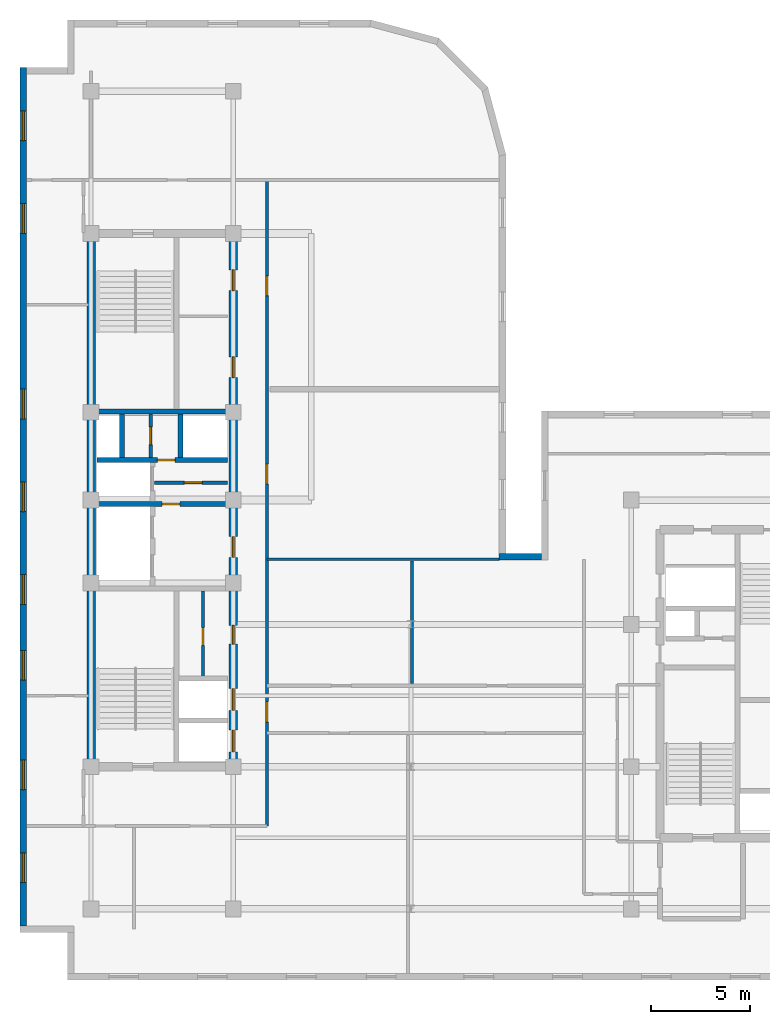
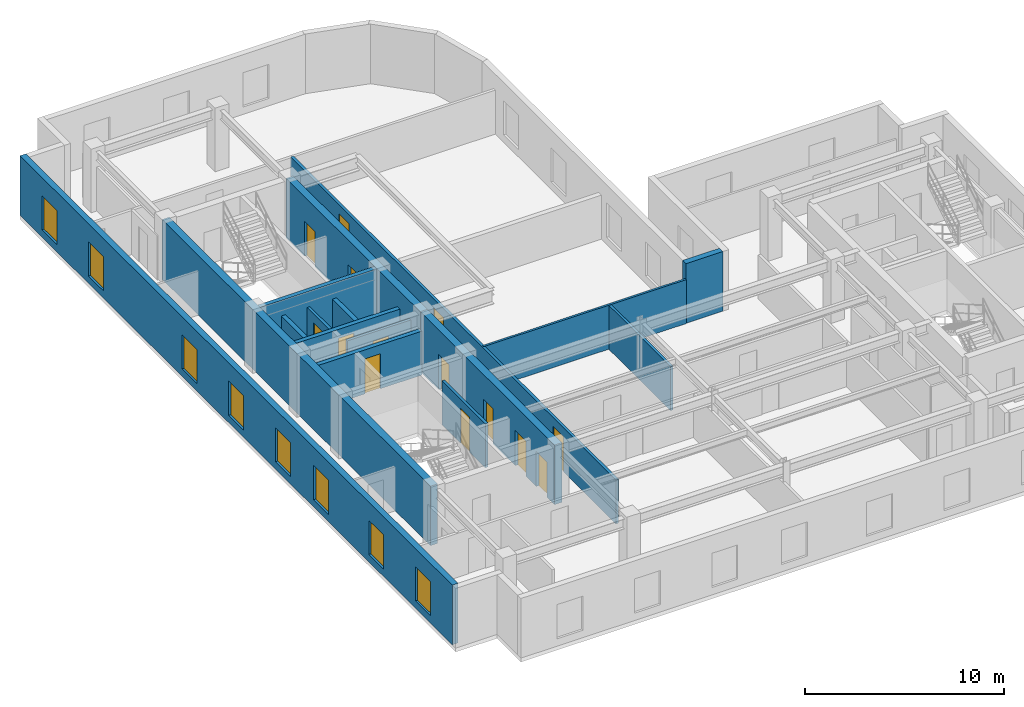
# One storey, part 4 of 9: 16 walls, 14 doors, 8 windows, 22 openings.
"""IFC4 building model written with IfcOpenShell, lengths in metres."""

from ifc_helpers import new_model, entity, si_unit, converted_unit, direction, frame, origin_with_axes, origin_2d_with_axis, place, context, subcontext, project, spatial, polyline, rectangle, outline, extrude, material, layer, layer_set, type_object, element, fill, save


model = new_model("IFC4")

# Units and contexts
model_context = context("Model", 3, precision=1e-05, world=origin_with_axes(), true_north=direction((0.0, 1.0)))
body_context = subcontext(model_context, "Body", "Model", "MODEL_VIEW")
ifc_project = project(units=[si_unit("LENGTHUNIT", "METRE"), si_unit("AREAUNIT", "SQUARE_METRE"), si_unit("VOLUMEUNIT", "CUBIC_METRE"), converted_unit("PLANEANGLEUNIT", "DEGREE", entity("IfcPlaneAngleMeasure", 0.017453292519943295), si_unit("PLANEANGLEUNIT", "RADIAN"), dimensions=[0, 0, 0, 0, 0, 0, 0]), si_unit("MASSUNIT", "GRAM", prefix="KILO"), si_unit("THERMODYNAMICTEMPERATUREUNIT", "KELVIN")], contexts=[model_context])

# Site, building, storey
site_placement = place(None, origin_with_axes())
site = spatial("IfcSite", under=ifc_project, at=site_placement, CompositionType="ELEMENT")
building_placement = place(site_placement, origin_with_axes())
building = spatial("IfcBuilding", under=site, at=building_placement, Name="Varnlund Millrace Tower", CompositionType="ELEMENT")
storey_placement = place(building_placement, frame((0.0, 0.0, 252.9), z_axis=(0.0, 0.0, 1.0), x_axis=(1.0, 0.0, 0.0)))
storey = spatial("IfcBuildingStorey", under=building, at=storey_placement, Name="L62", CompositionType="ELEMENT", Elevation=252.9)

# Wall
ifc_material_1 = material(Name="Concrete C60/75", Category="concrete")
ifc_layer_1 = layer(ifc_material_1, 0.42, Name="Concrete C60/75")
ifc_layer_set_1 = layer_set([ifc_layer_1], Name="Concrete C60/75")
wall_type_1 = type_object("IfcWallType", Name="Type-CoreWall-Shear-420-C60", PredefinedType="SHEAR", material=ifc_layer_set_1)
wall_1_placement = place(storey_placement, frame((11.4, 10.8, 0.0), z_axis=(0.0, 0.0, 1.0), x_axis=(0.0, 1.0, 0.0)))
element("IfcWall", 1, at=wall_1_placement, inside=storey, type_object=wall_type_1, Name="Type-CoreWall-Shear-420-C60", PredefinedType="SHEAR", context=body_context, shape_type="SweptSolid", body=[
    extrude(outline(polyline([(0.0, -0.21), (27.0, -0.21), (27.0, 0.21), (0.0, 0.21), (0.0, -0.21)])), origin_with_axes(), (0.0, 0.0, 1.0), 3.66),
])

# Wall, openings, doors
wall_2_placement = place(storey_placement, frame((18.6, 10.8, 0.0), z_axis=(0.0, 0.0, 1.0), x_axis=(0.0, 1.0, 0.0)))
wall_2 = element("IfcWall", 2, at=wall_2_placement, inside=storey, type_object=wall_type_1, Name="Type-CoreWall-Shear-420-C60", PredefinedType="SHEAR", context=body_context, shape_type="SweptSolid", body=[
    extrude(outline(polyline([(0.0, -0.21), (13.5, -0.21), (13.5, 0.21), (0.0, 0.21), (0.0, -0.21)])), origin_with_axes(), (0.0, 0.0, 1.0), 3.66),
])
opening_1_placement = place(wall_2_placement, frame((1.3, 0.0, 0.0), z_axis=(0.0, 0.0, 1.0), x_axis=(1.0, 0.0, 0.0)))
opening_1 = element("IfcOpeningElement", 3, at=opening_1_placement, cuts=wall_2, Name="Opening L62:LD-ELV-H1", PredefinedType="OPENING", context=body_context, shape_type="SweptSolid", body=[
    extrude(rectangle(XDim=1.1, YDim=0.44, at=origin_2d_with_axis()), origin_with_axes(), (0.0, 0.0, 1.0), 2.15),
])
opening_2_placement = place(wall_2_placement, frame((3.4, 0.0, 0.0), z_axis=(0.0, 0.0, 1.0), x_axis=(1.0, 0.0, 0.0)))
opening_2 = element("IfcOpeningElement", 4, at=opening_2_placement, cuts=wall_2, Name="Opening L62:LD-ELV-H2", PredefinedType="OPENING", context=body_context, shape_type="SweptSolid", body=[
    extrude(rectangle(XDim=1.1, YDim=0.44, at=origin_2d_with_axis()), origin_with_axes(), (0.0, 0.0, 1.0), 2.15),
])
opening_3_placement = place(wall_2_placement, frame((11.125, 0.0, 0.0), z_axis=(0.0, 0.0, 1.0), x_axis=(1.0, 0.0, 0.0)))
opening_3 = element("IfcOpeningElement", 5, at=opening_3_placement, cuts=wall_2, Name="Opening L62:DR-FFLOB-A", PredefinedType="OPENING", context=body_context, shape_type="SweptSolid", body=[
    extrude(rectangle(XDim=1.05, YDim=0.44, at=origin_2d_with_axis()), origin_with_axes(), (0.0, 0.0, 1.0), 2.15),
])
opening_4_placement = place(wall_2_placement, frame((6.675, 0.0, 0.0), z_axis=(0.0, 0.0, 1.0), x_axis=(1.0, 0.0, 0.0)))
opening_4 = element("IfcOpeningElement", 6, at=opening_4_placement, cuts=wall_2, Name="Opening L62:DR-RECL-S1B2", PredefinedType="OPENING", context=body_context, shape_type="SweptSolid", body=[
    extrude(rectangle(XDim=0.95, YDim=0.44, at=origin_2d_with_axis()), origin_with_axes(), (0.0, 0.0, 1.0), 2.15),
])
ifc_material_2 = material(Name="Smoke-barrier hollow steel fire door", Category="steel")
door_type_1 = type_object("IfcDoorType", Name="Type-FireDoor-Lobby-1050X2150", OperationType="NOTDEFINED", PredefinedType="DOOR", material=ifc_material_2)
door_1_placement = place(wall_2_placement, frame((11.125, 0.0, 0.0), z_axis=(0.0, 0.0, 1.0), x_axis=(1.0, 0.0, 0.0)))
door_1 = element("IfcDoor", 7, at=door_1_placement, inside=storey, type_object=door_type_1, Name="Type-FireDoor-Lobby-1050X2150", OperationType="SINGLE_SWING_LEFT", OverallHeight=2.15, OverallWidth=1.05, PredefinedType="DOOR", context=body_context, shape_type="SweptSolid", body=[
    extrude(rectangle(XDim=1.05, YDim=0.09, at=origin_2d_with_axis()), origin_with_axes(), (0.0, 0.0, 1.0), 2.15),
])
fill(opening_3, door_1)
ifc_material_3 = material(Name="Fire-rated hollow steel core service door", Category="steel")
door_type_2 = type_object("IfcDoorType", Name="Type-FireDoor-Service-950X2150", OperationType="NOTDEFINED", PredefinedType="DOOR", material=ifc_material_3)
door_2_placement = place(wall_2_placement, frame((6.675, 0.0, 0.0), z_axis=(0.0, 0.0, 1.0), x_axis=(1.0, 0.0, 0.0)))
door_2 = element("IfcDoor", 8, at=door_2_placement, inside=storey, type_object=door_type_2, Name="Type-FireDoor-Service-950X2150", OperationType="SINGLE_SWING_RIGHT", OverallHeight=2.15, OverallWidth=0.95, PredefinedType="DOOR", context=body_context, shape_type="SweptSolid", body=[
    extrude(rectangle(XDim=0.95, YDim=0.09, at=origin_2d_with_axis()), origin_with_axes(), (0.0, 0.0, 1.0), 2.15),
])
fill(opening_4, door_2)
ifc_material_4 = material(Name="Stainless and architectural bronze sliding landing door")
door_type_3 = type_object("IfcDoorType", Name="Type-LiftLandingDoor-1100X2150", OperationType="NOTDEFINED", PredefinedType="DOOR", material=ifc_material_4)
door_3_placement = place(wall_2_placement, frame((1.3, 0.0, 0.0), z_axis=(0.0, 0.0, 1.0), x_axis=(1.0, 0.0, 0.0)))
door_3 = element("IfcDoor", 9, at=door_3_placement, inside=storey, type_object=door_type_3, Name="Type-LiftLandingDoor-1100X2150", OperationType="SLIDING_TO_LEFT", OverallHeight=2.15, OverallWidth=1.1, PredefinedType="DOOR", context=body_context, shape_type="SweptSolid", body=[
    extrude(rectangle(XDim=1.1, YDim=0.09, at=origin_2d_with_axis()), origin_with_axes(), (0.0, 0.0, 1.0), 2.15),
])
fill(opening_1, door_3)
door_4_placement = place(wall_2_placement, frame((3.4, 0.0, 0.0), z_axis=(0.0, 0.0, 1.0), x_axis=(1.0, 0.0, 0.0)))
door_4 = element("IfcDoor", 10, at=door_4_placement, inside=storey, type_object=door_type_3, Name="Type-LiftLandingDoor-1100X2150", OperationType="SLIDING_TO_RIGHT", OverallHeight=2.15, OverallWidth=1.1, PredefinedType="DOOR", context=body_context, shape_type="SweptSolid", body=[
    extrude(rectangle(XDim=1.1, YDim=0.09, at=origin_2d_with_axis()), origin_with_axes(), (0.0, 0.0, 1.0), 2.15),
])
fill(opening_2, door_4)

wall_3_placement = place(storey_placement, frame((18.6, 24.3, 0.0), z_axis=(0.0, 0.0, 1.0), x_axis=(0.0, 1.0, 0.0)))
wall_3 = element("IfcWall", 11, at=wall_3_placement, inside=storey, type_object=wall_type_1, Name="Type-CoreWall-Shear-420-C60", PredefinedType="SHEAR", context=body_context, shape_type="SweptSolid", body=[
    extrude(outline(polyline([(0.0, -0.21), (13.5, -0.21), (13.5, 0.21), (0.0, 0.21), (0.0, -0.21)])), origin_with_axes(), (0.0, 0.0, 1.0), 3.66),
])
opening_5_placement = place(wall_3_placement, frame((6.725, 0.0, 0.0), z_axis=(0.0, 0.0, 1.0), x_axis=(1.0, 0.0, 0.0)))
opening_5 = element("IfcOpeningElement", 12, at=opening_5_placement, cuts=wall_3, Name="Opening L62:DR-RECL-M1", PredefinedType="OPENING", context=body_context, shape_type="SweptSolid", body=[
    extrude(rectangle(XDim=1.05, YDim=0.44, at=origin_2d_with_axis()), origin_with_axes(), (0.0, 0.0, 1.0), 2.15),
])
opening_6_placement = place(wall_3_placement, frame((11.125, 0.0, 0.0), z_axis=(0.0, 0.0, 1.0), x_axis=(1.0, 0.0, 0.0)))
opening_6 = element("IfcOpeningElement", 13, at=opening_6_placement, cuts=wall_3, Name="Opening L62:DR-RECL-M2", PredefinedType="OPENING", context=body_context, shape_type="SweptSolid", body=[
    extrude(rectangle(XDim=1.05, YDim=0.44, at=origin_2d_with_axis()), origin_with_axes(), (0.0, 0.0, 1.0), 2.15),
])
door_5_placement = place(wall_3_placement, frame((6.725, 0.0, 0.0), z_axis=(0.0, 0.0, 1.0), x_axis=(1.0, 0.0, 0.0)))
door_5 = element("IfcDoor", 14, at=door_5_placement, inside=storey, type_object=door_type_1, Name="Type-FireDoor-Lobby-1050X2150", OperationType="SINGLE_SWING_LEFT", OverallHeight=2.15, OverallWidth=1.05, PredefinedType="DOOR", context=body_context, shape_type="SweptSolid", body=[
    extrude(rectangle(XDim=1.05, YDim=0.09, at=origin_2d_with_axis()), origin_with_axes(), (0.0, 0.0, 1.0), 2.15),
])
fill(opening_5, door_5)
door_6_placement = place(wall_3_placement, frame((11.125, 0.0, 0.0), z_axis=(0.0, 0.0, 1.0), x_axis=(1.0, 0.0, 0.0)))
door_6 = element("IfcDoor", 15, at=door_6_placement, inside=storey, type_object=door_type_1, Name="Type-FireDoor-Lobby-1050X2150", OperationType="SINGLE_SWING_RIGHT", OverallHeight=2.15, OverallWidth=1.05, PredefinedType="DOOR", context=body_context, shape_type="SweptSolid", body=[
    extrude(rectangle(XDim=1.05, YDim=0.09, at=origin_2d_with_axis()), origin_with_axes(), (0.0, 0.0, 1.0), 2.15),
])
fill(opening_6, door_6)

# Wall, openings, windows
ifc_material_5 = material(Name="Precast concrete C50/60", Category="concrete")
ifc_layer_2 = layer(ifc_material_5, 0.34, Name="Precast concrete C50/60")
ifc_layer_set_2 = layer_set([ifc_layer_2], Name="Precast concrete C50/60")
wall_type_2 = type_object("IfcWallType", Name="Type-ExtWall-Precast-Upper-340", PredefinedType="SOLIDWALL", material=ifc_layer_set_2)
wall_4_placement = place(storey_placement, frame((7.97, 2.74, 0.0), z_axis=(0.0, 0.0, 1.0), x_axis=(0.0, 1.0, 0.0)))
wall_4 = element("IfcWall", 16, at=wall_4_placement, inside=storey, type_object=wall_type_2, Name="Type-ExtWall-Precast-Upper-340", PredefinedType="SOLIDWALL", context=body_context, shape_type="SweptSolid", body=[
    extrude(outline(polyline([(0.0, -0.17), (43.46, -0.17), (43.46, 0.17), (0.0, 0.17), (0.0, -0.17)])), origin_with_axes(), (0.0, 0.0, 1.0), 3.66),
])
opening_7_placement = place(wall_4_placement, frame((2.948, 0.0, 0.45), z_axis=(0.0, 0.0, 1.0), x_axis=(1.0, 0.0, 0.0)))
opening_7 = element("IfcOpeningElement", 17, at=opening_7_placement, cuts=wall_4, Name="Opening L62:WN-17", PredefinedType="OPENING", context=body_context, shape_type="SweptSolid", body=[
    extrude(rectangle(XDim=1.5, YDim=0.36, at=origin_2d_with_axis()), origin_with_axes(), (0.0, 0.0, 1.0), 2.1),
])
opening_8_placement = place(wall_4_placement, frame((7.643, 0.0, 0.45), z_axis=(0.0, 0.0, 1.0), x_axis=(1.0, 0.0, 0.0)))
opening_8 = element("IfcOpeningElement", 18, at=opening_8_placement, cuts=wall_4, Name="Opening L62:WN-18", PredefinedType="OPENING", context=body_context, shape_type="SweptSolid", body=[
    extrude(rectangle(XDim=1.5, YDim=0.36, at=origin_2d_with_axis()), origin_with_axes(), (0.0, 0.0, 1.0), 2.1),
])
opening_9_placement = place(wall_4_placement, frame((13.189, 0.0, 0.45), z_axis=(0.0, 0.0, 1.0), x_axis=(1.0, 0.0, 0.0)))
opening_9 = element("IfcOpeningElement", 19, at=opening_9_placement, cuts=wall_4, Name="Opening L62:WN-19", PredefinedType="OPENING", context=body_context, shape_type="SweptSolid", body=[
    extrude(rectangle(XDim=1.5, YDim=0.36, at=origin_2d_with_axis()), origin_with_axes(), (0.0, 0.0, 1.0), 2.1),
])
opening_10_placement = place(wall_4_placement, frame((17.034, 0.0, 0.45), z_axis=(0.0, 0.0, 1.0), x_axis=(1.0, 0.0, 0.0)))
opening_10 = element("IfcOpeningElement", 20, at=opening_10_placement, cuts=wall_4, Name="Opening L62:WN-20", PredefinedType="OPENING", context=body_context, shape_type="SweptSolid", body=[
    extrude(rectangle(XDim=1.5, YDim=0.36, at=origin_2d_with_axis()), origin_with_axes(), (0.0, 0.0, 1.0), 2.1),
])
opening_11_placement = place(wall_4_placement, frame((21.73, 0.0, 0.45), z_axis=(0.0, 0.0, 1.0), x_axis=(1.0, 0.0, 0.0)))
opening_11 = element("IfcOpeningElement", 21, at=opening_11_placement, cuts=wall_4, Name="Opening L62:WN-21", PredefinedType="OPENING", context=body_context, shape_type="SweptSolid", body=[
    extrude(rectangle(XDim=1.5, YDim=0.36, at=origin_2d_with_axis()), origin_with_axes(), (0.0, 0.0, 1.0), 2.1),
])
opening_12_placement = place(wall_4_placement, frame((26.426, 0.0, 0.45), z_axis=(0.0, 0.0, 1.0), x_axis=(1.0, 0.0, 0.0)))
opening_12 = element("IfcOpeningElement", 22, at=opening_12_placement, cuts=wall_4, Name="Opening L62:WN-22", PredefinedType="OPENING", context=body_context, shape_type="SweptSolid", body=[
    extrude(rectangle(XDim=1.5, YDim=0.36, at=origin_2d_with_axis()), origin_with_axes(), (0.0, 0.0, 1.0), 2.1),
])
opening_13_placement = place(wall_4_placement, frame((35.817, 0.0, 0.45), z_axis=(0.0, 0.0, 1.0), x_axis=(1.0, 0.0, 0.0)))
opening_13 = element("IfcOpeningElement", 23, at=opening_13_placement, cuts=wall_4, Name="Opening L62:WN-23", PredefinedType="OPENING", context=body_context, shape_type="SweptSolid", body=[
    extrude(rectangle(XDim=1.5, YDim=0.36, at=origin_2d_with_axis()), origin_with_axes(), (0.0, 0.0, 1.0), 2.1),
])
opening_14_placement = place(wall_4_placement, frame((40.512, 0.0, 0.45), z_axis=(0.0, 0.0, 1.0), x_axis=(1.0, 0.0, 0.0)))
opening_14 = element("IfcOpeningElement", 24, at=opening_14_placement, cuts=wall_4, Name="Opening L62:WN-24", PredefinedType="OPENING", context=body_context, shape_type="SweptSolid", body=[
    extrude(rectangle(XDim=1.5, YDim=0.36, at=origin_2d_with_axis()), origin_with_axes(), (0.0, 0.0, 1.0), 2.1),
])
ifc_material_6 = material(Name="Argon low-e triple glazing in thermally broken bronze frame", Category="glass")
window_type = type_object("IfcWindowType", Name="Type-Window-Punched-1500X2100", PartitioningType="SINGLE_PANEL", PredefinedType="WINDOW", material=ifc_material_6)
window_1_placement = place(wall_4_placement, frame((2.948, 0.0, 0.45), z_axis=(0.0, 0.0, 1.0), x_axis=(1.0, 0.0, 0.0)))
window_1 = element("IfcWindow", 25, at=window_1_placement, inside=storey, type_object=window_type, Name="Type-Window-Punched-1500X2100", OverallHeight=2.1, OverallWidth=1.5, PredefinedType="WINDOW", context=body_context, shape_type="SweptSolid", body=[
    extrude(rectangle(XDim=1.5, YDim=0.09, at=origin_2d_with_axis()), origin_with_axes(), (0.0, 0.0, 1.0), 2.1),
])
fill(opening_7, window_1)
window_2_placement = place(wall_4_placement, frame((7.643, 0.0, 0.45), z_axis=(0.0, 0.0, 1.0), x_axis=(1.0, 0.0, 0.0)))
window_2 = element("IfcWindow", 26, at=window_2_placement, inside=storey, type_object=window_type, Name="Type-Window-Punched-1500X2100", OverallHeight=2.1, OverallWidth=1.5, PredefinedType="WINDOW", context=body_context, shape_type="SweptSolid", body=[
    extrude(rectangle(XDim=1.5, YDim=0.09, at=origin_2d_with_axis()), origin_with_axes(), (0.0, 0.0, 1.0), 2.1),
])
fill(opening_8, window_2)
window_3_placement = place(wall_4_placement, frame((13.189, 0.0, 0.45), z_axis=(0.0, 0.0, 1.0), x_axis=(1.0, 0.0, 0.0)))
window_3 = element("IfcWindow", 27, at=window_3_placement, inside=storey, type_object=window_type, Name="Type-Window-Punched-1500X2100", OverallHeight=2.1, OverallWidth=1.5, PredefinedType="WINDOW", context=body_context, shape_type="SweptSolid", body=[
    extrude(rectangle(XDim=1.5, YDim=0.09, at=origin_2d_with_axis()), origin_with_axes(), (0.0, 0.0, 1.0), 2.1),
])
fill(opening_9, window_3)
window_4_placement = place(wall_4_placement, frame((17.034, 0.0, 0.45), z_axis=(0.0, 0.0, 1.0), x_axis=(1.0, 0.0, 0.0)))
window_4 = element("IfcWindow", 28, at=window_4_placement, inside=storey, type_object=window_type, Name="Type-Window-Punched-1500X2100", OverallHeight=2.1, OverallWidth=1.5, PredefinedType="WINDOW", context=body_context, shape_type="SweptSolid", body=[
    extrude(rectangle(XDim=1.5, YDim=0.09, at=origin_2d_with_axis()), origin_with_axes(), (0.0, 0.0, 1.0), 2.1),
])
fill(opening_10, window_4)
window_5_placement = place(wall_4_placement, frame((21.73, 0.0, 0.45), z_axis=(0.0, 0.0, 1.0), x_axis=(1.0, 0.0, 0.0)))
window_5 = element("IfcWindow", 29, at=window_5_placement, inside=storey, type_object=window_type, Name="Type-Window-Punched-1500X2100", OverallHeight=2.1, OverallWidth=1.5, PredefinedType="WINDOW", context=body_context, shape_type="SweptSolid", body=[
    extrude(rectangle(XDim=1.5, YDim=0.09, at=origin_2d_with_axis()), origin_with_axes(), (0.0, 0.0, 1.0), 2.1),
])
fill(opening_11, window_5)
window_6_placement = place(wall_4_placement, frame((26.426, 0.0, 0.45), z_axis=(0.0, 0.0, 1.0), x_axis=(1.0, 0.0, 0.0)))
window_6 = element("IfcWindow", 30, at=window_6_placement, inside=storey, type_object=window_type, Name="Type-Window-Punched-1500X2100", OverallHeight=2.1, OverallWidth=1.5, PredefinedType="WINDOW", context=body_context, shape_type="SweptSolid", body=[
    extrude(rectangle(XDim=1.5, YDim=0.09, at=origin_2d_with_axis()), origin_with_axes(), (0.0, 0.0, 1.0), 2.1),
])
fill(opening_12, window_6)
window_7_placement = place(wall_4_placement, frame((35.817, 0.0, 0.45), z_axis=(0.0, 0.0, 1.0), x_axis=(1.0, 0.0, 0.0)))
window_7 = element("IfcWindow", 31, at=window_7_placement, inside=storey, type_object=window_type, Name="Type-Window-Punched-1500X2100", OverallHeight=2.1, OverallWidth=1.5, PredefinedType="WINDOW", context=body_context, shape_type="SweptSolid", body=[
    extrude(rectangle(XDim=1.5, YDim=0.09, at=origin_2d_with_axis()), origin_with_axes(), (0.0, 0.0, 1.0), 2.1),
])
fill(opening_13, window_7)
window_8_placement = place(wall_4_placement, frame((40.512, 0.0, 0.45), z_axis=(0.0, 0.0, 1.0), x_axis=(1.0, 0.0, 0.0)))
window_8 = element("IfcWindow", 32, at=window_8_placement, inside=storey, type_object=window_type, Name="Type-Window-Punched-1500X2100", OverallHeight=2.1, OverallWidth=1.5, PredefinedType="WINDOW", context=body_context, shape_type="SweptSolid", body=[
    extrude(rectangle(XDim=1.5, YDim=0.09, at=origin_2d_with_axis()), origin_with_axes(), (0.0, 0.0, 1.0), 2.1),
])
fill(opening_14, window_8)

# Wall
wall_5_placement = place(storey_placement, frame((32.06, 21.43, 0.0), z_axis=(0.0, 0.0, 1.0), x_axis=(1.0, 0.0, 0.0)))
element("IfcWall", 33, at=wall_5_placement, inside=storey, type_object=wall_type_2, Name="Type-ExtWall-Precast-Upper-340", PredefinedType="SOLIDWALL", context=body_context, shape_type="SweptSolid", body=[
    extrude(outline(polyline([(0.0, -0.17), (2.14, -0.17), (2.14, 0.17), (0.0, 0.17), (0.0, -0.17)])), origin_with_axes(), (0.0, 0.0, 1.0), 3.66),
])

# Wall, opening, door
ifc_material_7 = material(Name="Fire-rated gypsum board on cold-formed steel framing", Category="steel")
ifc_layer_3 = layer(ifc_material_7, 0.16, Name="Fire-rated gypsum board on cold-formed steel framing")
ifc_layer_set_3 = layer_set([ifc_layer_3], Name="Fire-rated gypsum board on cold-formed steel framing")
wall_type_3 = type_object("IfcWallType", Name="Type-Partition-Corridor-160", PredefinedType="PARTITIONING", material=ifc_layer_set_3)
wall_6_placement = place(storey_placement, frame((14.62, 25.18, 0.0), z_axis=(0.0, 0.0, 1.0), x_axis=(1.0, 0.0, 0.0)))
wall_6 = element("IfcWall", 34, at=wall_6_placement, inside=storey, type_object=wall_type_3, Name="Type-Partition-Corridor-160", PredefinedType="PARTITIONING", context=body_context, shape_type="SweptSolid", body=[
    extrude(outline(polyline([(0.0, -0.08), (3.68, -0.08), (3.68, 0.08), (0.0, 0.08), (0.0, -0.08)])), origin_with_axes(), (0.0, 0.0, 1.0), 2.7),
])
opening_15_placement = place(wall_6_placement, frame((1.95, 0.0, 0.0), z_axis=(0.0, 0.0, 1.0), x_axis=(1.0, 0.0, 0.0)))
opening_15 = element("IfcOpeningElement", 35, at=opening_15_placement, cuts=wall_6, Name="Opening L62:DR-CA-SUB2", PredefinedType="OPENING", context=body_context, shape_type="SweptSolid", body=[
    extrude(rectangle(XDim=0.9, YDim=0.18, at=origin_2d_with_axis()), origin_with_axes(), (0.0, 0.0, 1.0), 2.15),
])
ifc_material_8 = material(Name="Painted steel riser and closet door", Category="steel")
door_type_4 = type_object("IfcDoorType", Name="Type-IntDoor-Closet-900X2150", OperationType="NOTDEFINED", PredefinedType="DOOR", material=ifc_material_8)
door_7_placement = place(wall_6_placement, frame((1.95, 0.0, 0.0), z_axis=(0.0, 0.0, 1.0), x_axis=(1.0, 0.0, 0.0)))
door_7 = element("IfcDoor", 36, at=door_7_placement, inside=storey, type_object=door_type_4, Name="Type-IntDoor-Closet-900X2150", OperationType="SINGLE_SWING_LEFT", OverallHeight=2.15, OverallWidth=0.9, PredefinedType="DOOR", context=body_context, shape_type="SweptSolid", body=[
    extrude(rectangle(XDim=0.9, YDim=0.09, at=origin_2d_with_axis()), origin_with_axes(), (0.0, 0.0, 1.0), 2.15),
])
fill(opening_15, door_7)

wall_7_placement = place(storey_placement, frame((14.42, 26.45, 0.0), z_axis=(0.0, 0.0, 1.0), x_axis=(0.0, 1.0, 0.0)))
wall_7 = element("IfcWall", 37, at=wall_7_placement, inside=storey, type_object=wall_type_3, Name="Type-Partition-Corridor-160", PredefinedType="PARTITIONING", context=body_context, shape_type="SweptSolid", body=[
    extrude(outline(polyline([(0.0, -0.08), (2.2, -0.08), (2.2, 0.08), (0.0, 0.08), (0.0, -0.08)])), origin_with_axes(), (0.0, 0.0, 1.0), 2.7),
])
opening_16_placement = place(wall_7_placement, frame((1.1, 0.0, 0.0), z_axis=(0.0, 0.0, 1.0), x_axis=(1.0, 0.0, 0.0)))
opening_16 = element("IfcOpeningElement", 38, at=opening_16_placement, cuts=wall_7, Name="Opening L62:DR-CA-EL2", PredefinedType="OPENING", context=body_context, shape_type="SweptSolid", body=[
    extrude(rectangle(XDim=0.9, YDim=0.18, at=origin_2d_with_axis()), origin_with_axes(), (0.0, 0.0, 1.0), 2.15),
])
door_8_placement = place(wall_7_placement, frame((1.1, 0.0, 0.0), z_axis=(0.0, 0.0, 1.0), x_axis=(1.0, 0.0, 0.0)))
door_8 = element("IfcDoor", 39, at=door_8_placement, inside=storey, type_object=door_type_4, Name="Type-IntDoor-Closet-900X2150", OperationType="SINGLE_SWING_LEFT", OverallHeight=2.15, OverallWidth=0.9, PredefinedType="DOOR", context=body_context, shape_type="SweptSolid", body=[
    extrude(rectangle(XDim=0.9, YDim=0.09, at=origin_2d_with_axis()), origin_with_axes(), (0.0, 0.0, 1.0), 2.15),
])
fill(opening_16, door_8)

wall_8_placement = place(storey_placement, frame((17.07, 15.34, 0.0), z_axis=(0.0, 0.0, 1.0), x_axis=(0.0, 1.0, 0.0)))
wall_8 = element("IfcWall", 40, at=wall_8_placement, inside=storey, type_object=wall_type_3, Name="Type-Partition-Corridor-160", PredefinedType="PARTITIONING", context=body_context, shape_type="SweptSolid", body=[
    extrude(outline(polyline([(0.0, -0.08), (4.36, -0.08), (4.36, 0.08), (0.0, 0.08), (0.0, -0.08)])), origin_with_axes(), (0.0, 0.0, 1.0), 2.7),
])
opening_17_placement = place(wall_8_placement, frame((2.05, 0.0, 0.0), z_axis=(0.0, 0.0, 1.0), x_axis=(1.0, 0.0, 0.0)))
opening_17 = element("IfcOpeningElement", 41, at=opening_17_placement, cuts=wall_8, Name="Opening L62:DR-RECL-S1B1", PredefinedType="OPENING", context=body_context, shape_type="SweptSolid", body=[
    extrude(rectangle(XDim=0.9, YDim=0.18, at=origin_2d_with_axis()), origin_with_axes(), (0.0, 0.0, 1.0), 2.15),
])
door_9_placement = place(wall_8_placement, frame((2.05, 0.0, 0.0), z_axis=(0.0, 0.0, 1.0), x_axis=(1.0, 0.0, 0.0)))
door_9 = element("IfcDoor", 42, at=door_9_placement, inside=storey, type_object=door_type_4, Name="Type-IntDoor-Closet-900X2150", OperationType="SINGLE_SWING_LEFT", OverallHeight=2.15, OverallWidth=0.9, PredefinedType="DOOR", context=body_context, shape_type="SweptSolid", body=[
    extrude(rectangle(XDim=0.9, YDim=0.09, at=origin_2d_with_axis()), origin_with_axes(), (0.0, 0.0, 1.0), 2.15),
])
fill(opening_17, door_9)

# Wall, openings, doors
wall_9_placement = place(storey_placement, frame((20.3, 7.8, 0.0), z_axis=(0.0, 0.0, 1.0), x_axis=(0.0, 1.0, 0.0)))
wall_9 = element("IfcWall", 43, at=wall_9_placement, inside=storey, type_object=wall_type_3, Name="Type-Partition-Corridor-160", PredefinedType="PARTITIONING", context=body_context, shape_type="SweptSolid", body=[
    extrude(outline(polyline([(0.0, -0.08), (32.7, -0.08), (32.7, 0.08), (0.0, 0.08), (0.0, -0.08)])), origin_with_axes(), (0.0, 0.0, 1.0), 2.7),
])
opening_18_placement = place(wall_9_placement, frame((17.825, 0.0, 0.0), z_axis=(0.0, 0.0, 1.0), x_axis=(1.0, 0.0, 0.0)))
opening_18 = element("IfcOpeningElement", 44, at=opening_18_placement, cuts=wall_9, Name="Opening L62:DR-FLR-01", PredefinedType="OPENING", context=body_context, shape_type="SweptSolid", body=[
    extrude(rectangle(XDim=1.0, YDim=0.18, at=origin_2d_with_axis()), origin_with_axes(), (0.0, 0.0, 1.0), 2.15),
])
opening_19_placement = place(wall_9_placement, frame((27.345, 0.0, 0.0), z_axis=(0.0, 0.0, 1.0), x_axis=(1.0, 0.0, 0.0)))
opening_19 = element("IfcOpeningElement", 45, at=opening_19_placement, cuts=wall_9, Name="Opening L62:DR-FLR-02", PredefinedType="OPENING", context=body_context, shape_type="SweptSolid", body=[
    extrude(rectangle(XDim=1.0, YDim=0.18, at=origin_2d_with_axis()), origin_with_axes(), (0.0, 0.0, 1.0), 2.15),
])
opening_20_placement = place(wall_9_placement, frame((5.775, 0.0, 0.0), z_axis=(0.0, 0.0, 1.0), x_axis=(1.0, 0.0, 0.0)))
opening_20 = element("IfcOpeningElement", 46, at=opening_20_placement, cuts=wall_9, Name="Opening L62:DR-KN-W", PredefinedType="OPENING", context=body_context, shape_type="SweptSolid", body=[
    extrude(rectangle(XDim=1.05, YDim=0.18, at=origin_2d_with_axis()), origin_with_axes(), (0.0, 0.0, 1.0), 2.15),
])
door_10_placement = place(wall_9_placement, frame((5.775, 0.0, 0.0), z_axis=(0.0, 0.0, 1.0), x_axis=(1.0, 0.0, 0.0)))
door_10 = element("IfcDoor", 47, at=door_10_placement, inside=storey, type_object=door_type_1, Name="Type-FireDoor-Lobby-1050X2150", OperationType="SINGLE_SWING_LEFT", OverallHeight=2.15, OverallWidth=1.05, PredefinedType="DOOR", context=body_context, shape_type="SweptSolid", body=[
    extrude(rectangle(XDim=1.05, YDim=0.09, at=origin_2d_with_axis()), origin_with_axes(), (0.0, 0.0, 1.0), 2.15),
])
fill(opening_20, door_10)
ifc_material_9 = material(Name="Solid-core white oak and bronze frame door")
door_type_5 = type_object("IfcDoorType", Name="Type-IntDoor-Office-1000X2150", OperationType="NOTDEFINED", PredefinedType="DOOR", material=ifc_material_9)
door_11_placement = place(wall_9_placement, frame((17.825, 0.0, 0.0), z_axis=(0.0, 0.0, 1.0), x_axis=(1.0, 0.0, 0.0)))
door_11 = element("IfcDoor", 48, at=door_11_placement, inside=storey, type_object=door_type_5, Name="Type-IntDoor-Office-1000X2150", OperationType="SINGLE_SWING_LEFT", OverallHeight=2.15, OverallWidth=1.0, PredefinedType="DOOR", context=body_context, shape_type="SweptSolid", body=[
    extrude(rectangle(XDim=1.0, YDim=0.09, at=origin_2d_with_axis()), origin_with_axes(), (0.0, 0.0, 1.0), 2.15),
])
fill(opening_18, door_11)
door_12_placement = place(wall_9_placement, frame((27.345, 0.0, 0.0), z_axis=(0.0, 0.0, 1.0), x_axis=(1.0, 0.0, 0.0)))
door_12 = element("IfcDoor", 49, at=door_12_placement, inside=storey, type_object=door_type_5, Name="Type-IntDoor-Office-1000X2150", OperationType="SINGLE_SWING_RIGHT", OverallHeight=2.15, OverallWidth=1.0, PredefinedType="DOOR", context=body_context, shape_type="SweptSolid", body=[
    extrude(rectangle(XDim=1.0, YDim=0.09, at=origin_2d_with_axis()), origin_with_axes(), (0.0, 0.0, 1.0), 2.15),
])
fill(opening_19, door_12)

# Walls
ifc_material_10 = material(Name="Acoustic STC-50 gypsum board partition", Category="gypsum")
ifc_layer_4 = layer(ifc_material_10, 0.15, Name="Acoustic STC-50 gypsum board partition")
ifc_layer_set_4 = layer_set([ifc_layer_4], Name="Acoustic STC-50 gypsum board partition")
wall_type_4 = type_object("IfcWallType", Name="Type-Partition-Demising-150", PredefinedType="PARTITIONING", material=ifc_layer_set_4)
wall_10_placement = place(storey_placement, frame((27.638, 15.02, 0.0), z_axis=(0.0, 0.0, 1.0), x_axis=(0.0, 1.0, 0.0)))
element("IfcWall", 50, at=wall_10_placement, inside=storey, type_object=wall_type_4, Name="Type-Partition-Demising-150", PredefinedType="PARTITIONING", context=body_context, shape_type="SweptSolid", body=[
    extrude(outline(polyline([(0.0, -0.075), (6.2, -0.075), (6.2, 0.075), (0.0, 0.075), (0.0, -0.075)])), origin_with_axes(), (0.0, 0.0, 1.0), 2.7),
])
ifc_material_11 = material(Name="Gypsum board tenant partition", Category="gypsum")
ifc_layer_5 = layer(ifc_material_11, 0.125, Name="Gypsum board tenant partition")
ifc_layer_set_5 = layer_set([ifc_layer_5], Name="Gypsum board tenant partition")
wall_type_5 = type_object("IfcWallType", Name="Type-Partition-Tenant-125", PredefinedType="PARTITIONING", material=ifc_layer_set_5)
wall_11_placement = place(storey_placement, frame((20.3, 21.3, 0.0), z_axis=(0.0, 0.0, 1.0), x_axis=(1.0, 0.0, 0.0)))
element("IfcWall", 51, at=wall_11_placement, inside=storey, type_object=wall_type_5, Name="Type-Partition-Tenant-125", PredefinedType="PARTITIONING", context=body_context, shape_type="SweptSolid", body=[
    extrude(outline(polyline([(0.0, -0.0625), (11.765, -0.0625), (11.765, 0.0625), (0.0, 0.0625), (0.0, -0.0625)])), origin_with_axes(), (0.0, 0.0, 1.0), 2.7),
])

# Wall, opening, door
ifc_layer_6 = layer(ifc_material_1, 0.25, Name="Concrete C60/75")
ifc_layer_set_6 = layer_set([ifc_layer_6], Name="Concrete C60/75")
wall_type_6 = type_object("IfcWallType", Name="Type-ShaftWall-Fire-250", PredefinedType="SOLIDWALL", material=ifc_layer_set_6)
wall_12_placement = place(storey_placement, frame((11.7, 24.1, 0.0), z_axis=(0.0, 0.0, 1.0), x_axis=(1.0, 0.0, 0.0)))
wall_12 = element("IfcWall", 52, at=wall_12_placement, inside=storey, type_object=wall_type_6, Name="Type-ShaftWall-Fire-250", PredefinedType="SOLIDWALL", context=body_context, shape_type="SweptSolid", body=[
    extrude(outline(polyline([(0.0, -0.125), (6.6, -0.125), (6.6, 0.125), (0.0, 0.125), (0.0, -0.125)])), origin_with_axes(), (0.0, 0.0, 1.0), 2.7),
])
opening_21_placement = place(wall_12_placement, frame((3.75, 0.0, 0.0), z_axis=(0.0, 0.0, 1.0), x_axis=(1.0, 0.0, 0.0)))
opening_21 = element("IfcOpeningElement", 53, at=opening_21_placement, cuts=wall_12, Name="Opening L62:DR-CA-SUB1", PredefinedType="OPENING", context=body_context, shape_type="SweptSolid", body=[
    extrude(rectangle(XDim=0.9, YDim=0.27, at=origin_2d_with_axis()), origin_with_axes(), (0.0, 0.0, 1.0), 2.15),
])
ifc_material_12 = material(Name="Fire-rated hollow steel service closet door", Category="steel")
door_type_6 = type_object("IfcDoorType", Name="Type-FireDoor-Closet-900X2150", OperationType="NOTDEFINED", PredefinedType="DOOR", material=ifc_material_12)
door_13_placement = place(wall_12_placement, frame((3.75, 0.0, 0.0), z_axis=(0.0, 0.0, 1.0), x_axis=(1.0, 0.0, 0.0)))
door_13 = element("IfcDoor", 54, at=door_13_placement, inside=storey, type_object=door_type_6, Name="Type-FireDoor-Closet-900X2150", OperationType="SINGLE_SWING_LEFT", OverallHeight=2.15, OverallWidth=0.9, PredefinedType="DOOR", context=body_context, shape_type="SweptSolid", body=[
    extrude(rectangle(XDim=0.9, YDim=0.09, at=origin_2d_with_axis()), origin_with_axes(), (0.0, 0.0, 1.0), 2.15),
])
fill(opening_21, door_13)

wall_13_placement = place(storey_placement, frame((11.7, 26.325, 0.0), z_axis=(0.0, 0.0, 1.0), x_axis=(1.0, 0.0, 0.0)))
wall_13 = element("IfcWall", 55, at=wall_13_placement, inside=storey, type_object=wall_type_6, Name="Type-ShaftWall-Fire-250", PredefinedType="SOLIDWALL", context=body_context, shape_type="SweptSolid", body=[
    extrude(outline(polyline([(0.0, -0.125), (6.6, -0.125), (6.6, 0.125), (0.0, 0.125), (0.0, -0.125)])), origin_with_axes(), (0.0, 0.0, 1.0), 2.7),
])
opening_22_placement = place(wall_13_placement, frame((3.5, 0.0, 0.0), z_axis=(0.0, 0.0, 1.0), x_axis=(1.0, 0.0, 0.0)))
opening_22 = element("IfcOpeningElement", 56, at=opening_22_placement, cuts=wall_13, Name="Opening L62:DR-CA-EL1", PredefinedType="OPENING", context=body_context, shape_type="SweptSolid", body=[
    extrude(rectangle(XDim=0.9, YDim=0.27, at=origin_2d_with_axis()), origin_with_axes(), (0.0, 0.0, 1.0), 2.15),
])
door_14_placement = place(wall_13_placement, frame((3.5, 0.0, 0.0), z_axis=(0.0, 0.0, 1.0), x_axis=(1.0, 0.0, 0.0)))
door_14 = element("IfcDoor", 57, at=door_14_placement, inside=storey, type_object=door_type_6, Name="Type-FireDoor-Closet-900X2150", OperationType="SINGLE_SWING_LEFT", OverallHeight=2.15, OverallWidth=0.9, PredefinedType="DOOR", context=body_context, shape_type="SweptSolid", body=[
    extrude(rectangle(XDim=0.9, YDim=0.09, at=origin_2d_with_axis()), origin_with_axes(), (0.0, 0.0, 1.0), 2.15),
])
fill(opening_22, door_14)

# Walls
for number, where, z_axis, x_axis, name in (
    (58, (12.96, 26.45, 0.0), (0.0, 0.0, 1.0), (0.0, 1.0, 0.0), "Type-ShaftWall-Fire-250"),
    (59, (15.925, 26.45, 0.0), (0.0, 0.0, 1.0), (0.0, 1.0, 0.0), "Type-ShaftWall-Fire-250"),
):
    element("IfcWall", number, at=place(storey_placement, frame(where, z_axis=z_axis, x_axis=x_axis)), inside=storey, type_object=wall_type_6, Name=name, PredefinedType="SOLIDWALL", context=body_context, shape_type="SweptSolid", body=[
        extrude(outline(polyline([(0.0, -0.125), (2.2, -0.125), (2.2, 0.125), (0.0, 0.125), (0.0, -0.125)])), origin_with_axes(), (0.0, 0.0, 1.0), 2.7),
    ])
wall_type_7 = type_object("IfcWallType", Name="Type-StairWall-Shear-250", PredefinedType="SHEAR", material=ifc_layer_set_6)
wall_14_placement = place(storey_placement, frame((11.61, 28.775, 0.0), z_axis=(0.0, 0.0, 1.0), x_axis=(1.0, 0.0, 0.0)))
element("IfcWall", 60, at=wall_14_placement, inside=storey, type_object=wall_type_7, Name="Type-StairWall-Shear-250", PredefinedType="SHEAR", context=body_context, shape_type="SweptSolid", body=[
    extrude(outline(polyline([(0.0, -0.125), (6.78, -0.125), (6.78, 0.125), (0.0, 0.125), (0.0, -0.125)])), origin_with_axes(), (0.0, 0.0, 1.0), 3.66),
])

save(model, "model.ifc")
